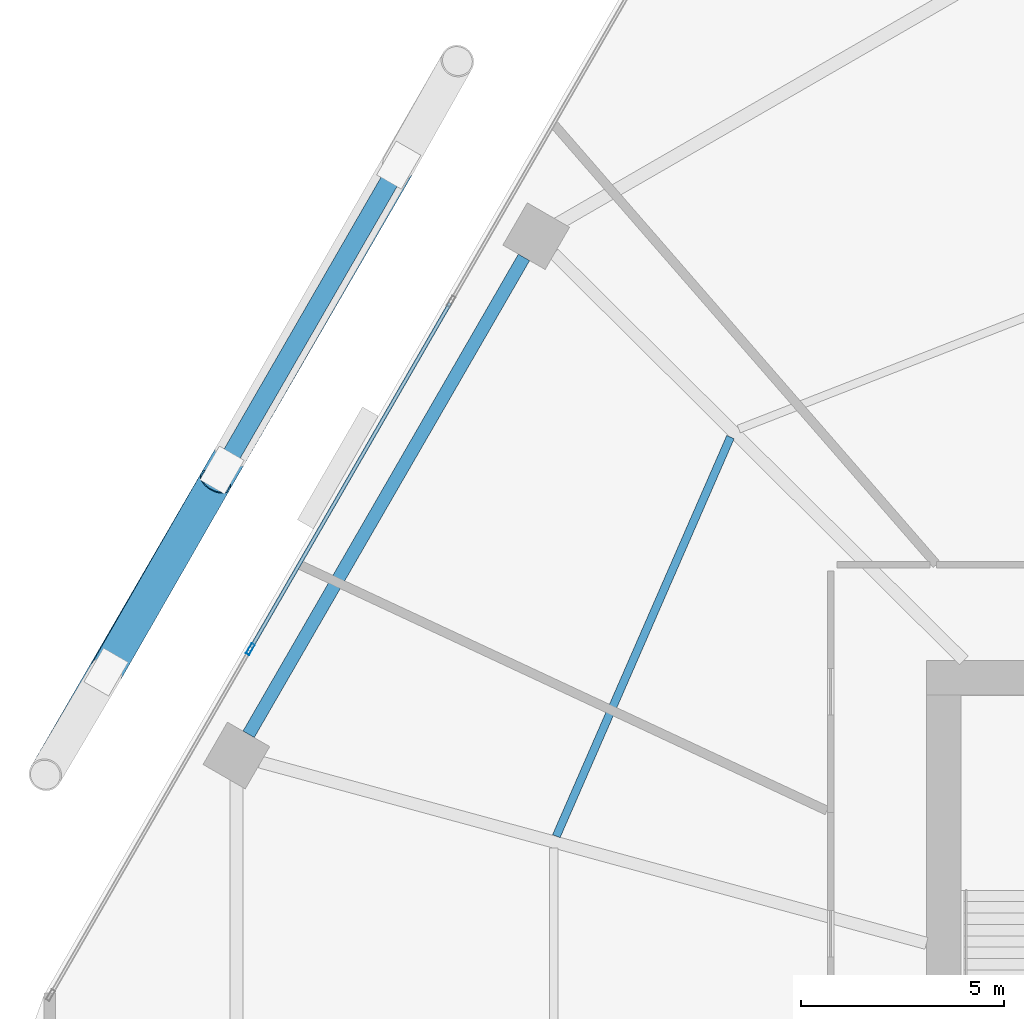
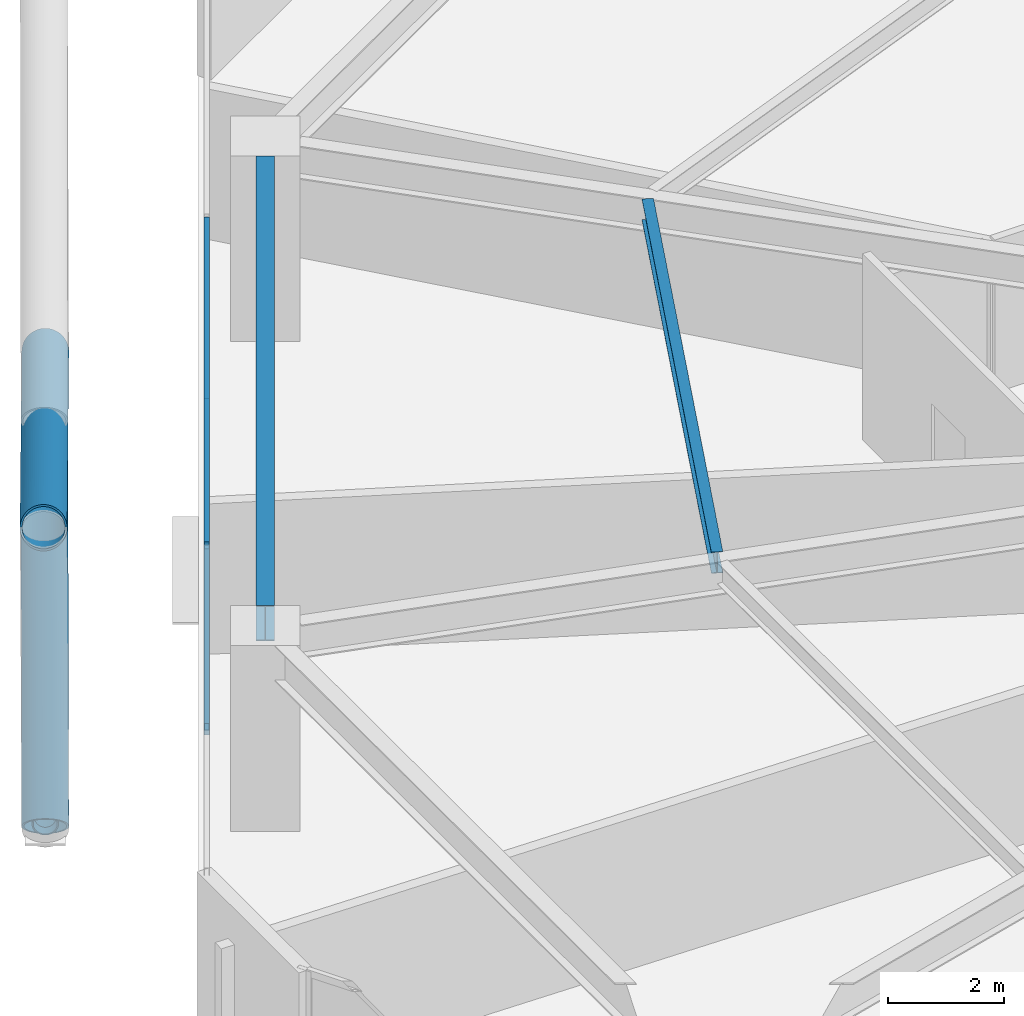
# One storey, part 14 of 30: 6 members, 2 beams, 1 element without a shape of its own.
"""IFC4 building model written with IfcOpenShell, lengths in metres."""

from ifc_helpers import new_model, si_unit, direction, frame, origin, origin_2d, place, context, subcontext, project, spatial, hollow_rectangle, hollow_circle, i_section, extrude, material, material_profile, profile_set, type_object, element, aggregate, save


model = new_model("IFC4")

# Units and contexts
model_context = context("Model", 3, precision=1e-05, world=origin(), true_north=direction((0.0, 1.0)))
body_context = subcontext(model_context, "Body", "Model", "MODEL_VIEW")
ifc_project = project(units=[si_unit("LENGTHUNIT", "METRE"), si_unit("AREAUNIT", "SQUARE_METRE"), si_unit("VOLUMEUNIT", "CUBIC_METRE"), si_unit("PLANEANGLEUNIT", "RADIAN"), si_unit("MASSUNIT", "GRAM", prefix="KILO")], contexts=[model_context])

# Site, building, storey
site_placement = place(None, origin())
site = spatial("IfcSite", under=ifc_project, at=site_placement, CompositionType="ELEMENT")
building_placement = place(site_placement, origin())
building = spatial("IfcBuilding", under=site, at=building_placement, Name="Zuhravey Tower", CompositionType="ELEMENT")
storey_placement = place(building_placement, frame((0.0, 0.0, 16.199951171875)))
storey = spatial("IfcBuildingStorey", under=building, at=storey_placement, Name="L04", CompositionType="ELEMENT", Elevation=16.199951171875)

# Curtain wall, members
ifc_material_1 = material(Name="Thermally broken anodised aluminium", Category="aluminium")
curtain_wall_type = type_object("IfcCurtainWallType", Name="School Low-E Unitised Curtain Wall CW1", PredefinedType="NOTDEFINED", material=ifc_material_1)
curtain_wall_placement = place(storey_placement, origin())
curtain_wall = element("IfcCurtainWall", 1, at=curtain_wall_placement, inside=storey, type_object=curtain_wall_type, Name="L04 CW1 CW-L04-F3-1", PredefinedType="NOTDEFINED")
ifc_material_2 = material(Name="Anodised aluminium", Category="aluminium")
ifc_material_profile_1 = material_profile(ifc_material_2, hollow_rectangle(XDim=0.090087890625, YDim=0.284912109375, WallThickness=0.0048828125, at=origin_2d()), Name="ALU-RHS-90x285x5")
ifc_profile_set_1 = profile_set([ifc_material_profile_1], Name="Anodised aluminium")
member_type_1 = type_object("IfcMemberType", Name="Curtain-Wall Mullion 90x180", PredefinedType="MULLION", material=ifc_profile_set_1)
member_1_placement = place(storey_placement, frame((8.45458984375, 42.20703125, 0.0), z_axis=(0.0, 0.0, 1.0), x_axis=(-0.86602552265, 0.499999794119, 0.0)))
member_1 = element("IfcMember", 2, at=member_1_placement, type_object=member_type_1, Name="CW1 mullion 2", PredefinedType="MULLION", context=body_context, shape_type="SweptSolid", body=[
    extrude(hollow_rectangle(XDim=0.090087890625, YDim=0.284912109375, WallThickness=0.0048828125, at=origin_2d()), origin(), (0.0, 0.0, 1.0), 3.920166015625),
])
ifc_material_profile_2 = material_profile(ifc_material_2, hollow_rectangle(XDim=0.090087890625, YDim=0.14990234375, WallThickness=0.0048828125, at=origin_2d()), Name="ALU-RHS-90x150x5")
ifc_profile_set_2 = profile_set([ifc_material_profile_2], Name="Anodised aluminium")
member_type_2 = type_object("IfcMemberType", Name="Curtain-Wall Transom 90x150", PredefinedType="USERDEFINED", material=ifc_profile_set_2)
member_2_placement = place(storey_placement, frame((8.47705078125, 42.245849609375, 0.045166015625), z_axis=(0.499990498062, 0.866030889661, 0.0), x_axis=(-0.866030889661, 0.499990498062, 0.0)))
member_2 = element("IfcMember", 3, at=member_2_placement, type_object=member_type_2, Name="CW1 transom 2.1", ObjectType="TRANSOM", PredefinedType="USERDEFINED", context=body_context, shape_type="SweptSolid", body=[
    extrude(hollow_rectangle(XDim=0.090087890625, YDim=0.14990234375, WallThickness=0.0048828125, at=origin_2d()), origin(), (0.0, 0.0, 1.0), 9.776611328125),
])
member_3_placement = place(storey_placement, frame((8.47705078125, 42.245849609375, 3.875), z_axis=(0.499990498062, 0.866030889661, 0.0), x_axis=(-0.866030889661, 0.499990498062, 0.0)))
member_3 = element("IfcMember", 4, at=member_3_placement, type_object=member_type_2, Name="CW1 transom 2.2", ObjectType="TRANSOM", PredefinedType="USERDEFINED", context=body_context, shape_type="SweptSolid", body=[
    extrude(hollow_rectangle(XDim=0.090087890625, YDim=0.14990234375, WallThickness=0.0048828125, at=origin_2d()), origin(), (0.0, 0.0, 1.0), 9.776611328125),
])
aggregate(curtain_wall, [member_1, member_2, member_3])

# Members
ifc_material_3 = material(Name="Steel SM355", Category="steel")
ifc_material_profile_3 = material_profile(ifc_material_3, hollow_circle(Radius=0.228515625, WallThickness=0.02197265625, at=origin_2d()), Name="CHS-457.2x22")
ifc_profile_set_3 = profile_set([ifc_material_profile_3], Name="Steel SM355")
member_type_3 = type_object("IfcMemberType", Name="Exoskeleton Ring Tie CHS457x22", PredefinedType="CHORD", material=ifc_profile_set_3)
member_4_placement = place(storey_placement, frame((12.031982421875, 53.983154296875, -0.493896484375), z_axis=(-0.500001078923, -0.866024780867, 0.0), x_axis=(0.866024780867, -0.500001078923, 0.0)))
element("IfcMember", 5, at=member_4_placement, inside=storey, type_object=member_type_3, Name="L04 Exoskeleton Face 3 Tie EXR1", PredefinedType="CHORD", context=body_context, shape_type="SweptSolid", body=[
    extrude(hollow_circle(Radius=0.228515625, WallThickness=0.02197265625, at=origin_2d()), origin(), (0.0, 0.0, 1.0), 14.10791015625),
])
ifc_material_4 = material(Name="Steel SM460", Category="steel")
ifc_material_profile_4 = material_profile(ifc_material_4, hollow_circle(Radius=0.406494140625, WallThickness=0.035888671875, at=origin_2d()), Name="CHS-812.8x36")
ifc_profile_set_4 = profile_set([ifc_material_profile_4], Name="Steel SM460")
member_type_4 = type_object("IfcMemberType", Name="Exoskeleton Zone 1 Diagrid CHS813x36", PredefinedType="BRACE", material=ifc_profile_set_4)
member_5_placement = place(storey_placement, frame((12.0791015625, 54.06494140625, -0.471923828125), z_axis=(-0.451282003886, -0.778532501156, 0.436155588767), x_axis=(0.865159859192, -0.50149617949, 0.0)))
element("IfcMember", 6, at=member_5_placement, inside=storey, type_object=member_type_4, Name="L04 Face 3 Diagrid Brace 2", PredefinedType="BRACE", context=body_context, shape_type="SweptSolid", body=[
    extrude(hollow_circle(Radius=0.406494140625, WallThickness=0.035888671875, at=origin_2d()), origin(), (0.0, 0.0, 1.0), 19.158203125),
])
member_6_placement = place(storey_placement, frame((4.92822265625, 41.679443359375, -0.464111328125), z_axis=(0.401264855815, 0.699203644203, 0.591693146336), x_axis=(-0.867322624064, 0.497746387016, 0.0)))
element("IfcMember", 7, at=member_6_placement, inside=storey, type_object=member_type_4, Name="L04 Face 3 Split Diagrid Brace 3A", PredefinedType="BRACE", context=body_context, shape_type="SweptSolid", body=[
    extrude(hollow_circle(Radius=0.406494140625, WallThickness=0.035888671875, at=origin_2d()), origin(), (0.0, 0.0, 1.0), 6.6513671875),
])

# Beams
ifc_material_profile_5 = material_profile(ifc_material_3, i_section(OverallWidth=0.320068359375, OverallDepth=0.75, WebThickness=0.013916015625, FlangeThickness=0.02490234375, at=origin_2d()), Name="H-750x320x14x25")
ifc_profile_set_5 = profile_set([ifc_material_profile_5], Name="Steel SM355")
beam_type_1 = type_object("IfcBeamType", Name="Perimeter Ring Beam H750x320", PredefinedType="BEAM", material=ifc_profile_set_5)
beam_1_placement = place(storey_placement, frame((15.179443359375, 51.834716796875, 3.545166015625), z_axis=(-0.499999877243, -0.866025474658, 0.0), x_axis=(0.866025474658, -0.499999877243, 0.0)))
element("IfcBeam", 8, at=beam_1_placement, inside=storey, type_object=beam_type_1, Name="L04 PB1 BM-L04-PB-05", PredefinedType="BEAM", context=body_context, shape_type="SweptSolid", body=[
    extrude(i_section(OverallWidth=0.320068359375, OverallDepth=0.75, WebThickness=0.013916015625, FlangeThickness=0.02490234375, at=origin_2d()), origin(), (0.0, 0.0, 1.0), 13.5341796875),
])
ifc_material_profile_6 = material_profile(ifc_material_3, i_section(OverallWidth=0.199951171875, OverallDepth=0.449951171875, WebThickness=0.009033203125, FlangeThickness=0.013916015625, at=origin_2d()), Name="H-450x200x9x14")
ifc_profile_set_6 = profile_set([ifc_material_profile_6], Name="Steel SM355")
beam_type_2 = type_object("IfcBeamType", Name="Secondary Floor Joist H450x200", PredefinedType="JOIST", material=ifc_profile_set_6)
beam_2_placement = place(storey_placement, frame((20.2548828125, 47.41845703125, 3.695068359375), z_axis=(-0.399923551578, -0.916548500022, 0.0), x_axis=(0.916548500022, -0.399923551578, 0.0)))
element("IfcBeam", 9, at=beam_2_placement, inside=storey, type_object=beam_type_2, Name="L04 SJ1 BM-L04-SJ-05-1", PredefinedType="JOIST", context=body_context, shape_type="SweptSolid", body=[
    extrude(i_section(OverallWidth=0.199951171875, OverallDepth=0.449951171875, WebThickness=0.009033203125, FlangeThickness=0.013916015625, at=origin_2d()), origin(), (0.0, 0.0, 1.0), 10.70263671875),
])

save(model, "model.ifc")
